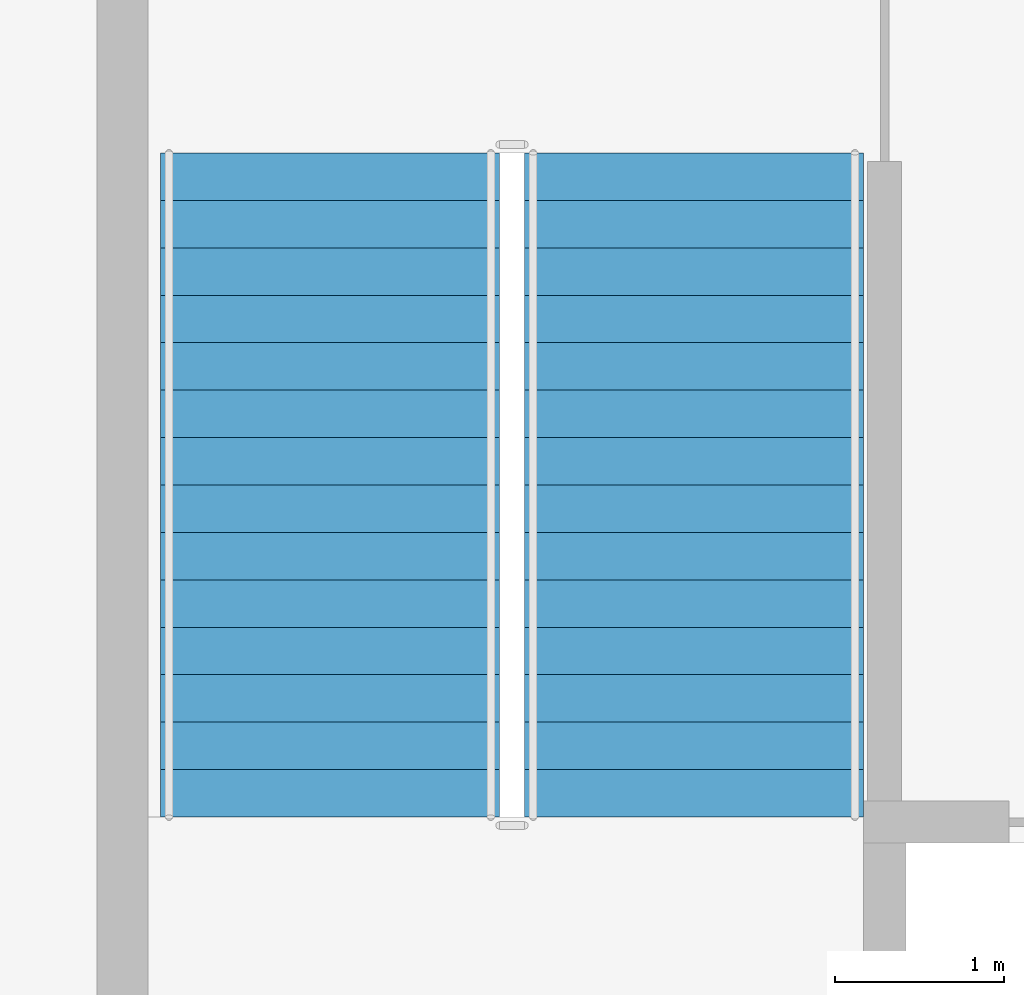
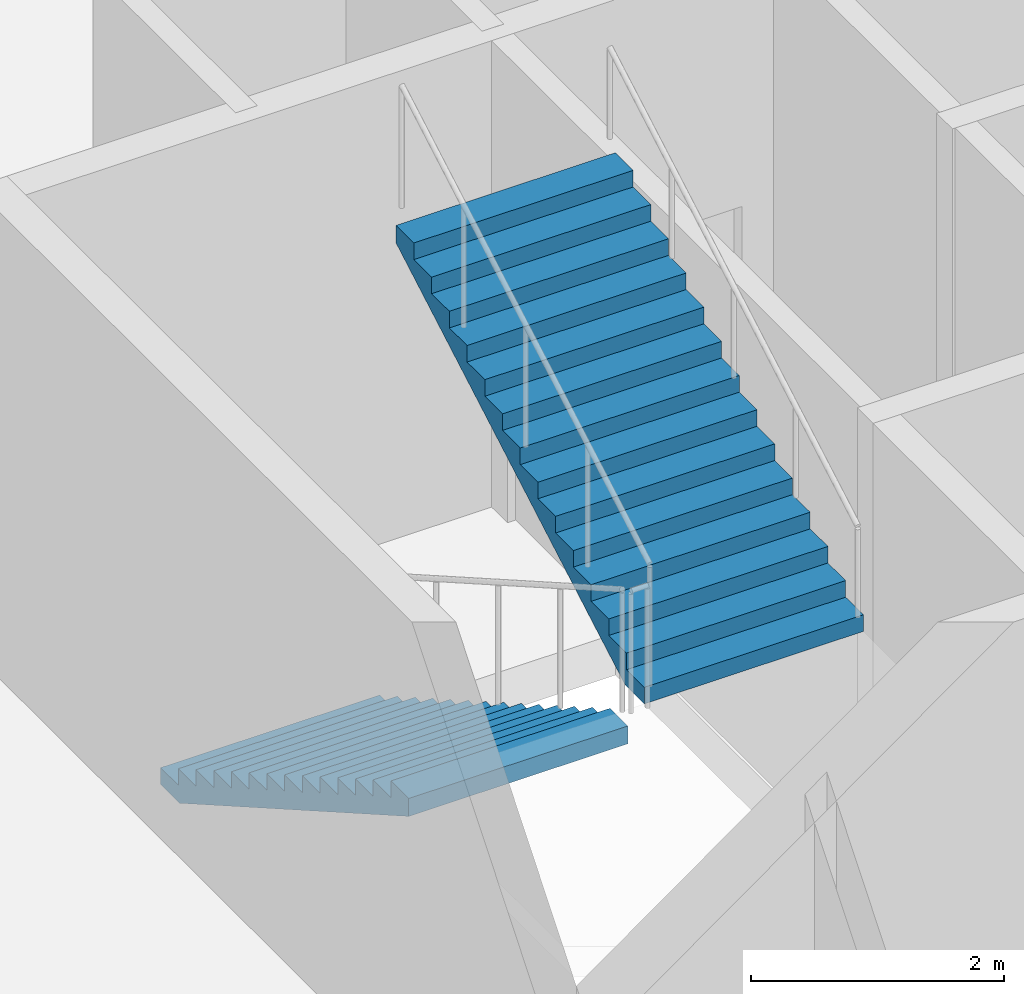
# One storey, part 5 of 10: 2 stair flights, 1 element without a shape of its own.
"""IFC4 building model written with IfcOpenShell, lengths in metres."""

from ifc_helpers import new_model, si_unit, direction, frame, origin, place, context, subcontext, project, spatial, polygons, material, type_object, element, aggregate, save


model = new_model("IFC4")

# Units and contexts
model_context = context("Model", 3, precision=1e-05, world=origin(), true_north=direction((0.0, 1.0)))
body_context = subcontext(model_context, "Body", "Model", "MODEL_VIEW")
ifc_project = project(units=[si_unit("LENGTHUNIT", "METRE"), si_unit("AREAUNIT", "SQUARE_METRE"), si_unit("VOLUMEUNIT", "CUBIC_METRE"), si_unit("PLANEANGLEUNIT", "RADIAN"), si_unit("MASSUNIT", "GRAM", prefix="KILO")], contexts=[model_context])

# Site, building, storey
site_placement = place(None, origin())
site = spatial("IfcSite", under=ifc_project, at=site_placement, CompositionType="ELEMENT")
building_placement = place(site_placement, origin())
building = spatial("IfcBuilding", under=site, at=building_placement, Name="Caravel Reach Hotel and Residences", CompositionType="ELEMENT")
storey_placement = place(building_placement, frame((0.0, 0.0, 187.60009765625)))
storey = spatial("IfcBuildingStorey", under=building, at=storey_placement, Name="L47", CompositionType="ELEMENT", Elevation=187.60009765625)

# Stair, stair flights
ifc_material_1 = material(Name="Concrete C40", Category="concrete")
stair_type = type_object("IfcStairType", Name="Core stair", PredefinedType="HALF_TURN_STAIR", material=ifc_material_1)
stair_placement = place(storey_placement, origin())
stair = element("IfcStair", 1, at=stair_placement, inside=storey, type_object=stair_type, Name="L47 Exit stair A", PredefinedType="HALF_TURN_STAIR")
ifc_material_2 = material(Name="Concrete C40", Category="concrete")
stair_flight_type = type_object("IfcStairFlightType", Name="Core stair flight", PredefinedType="STRAIGHT", material=ifc_material_2)
stair_flight_1_placement = place(storey_placement, frame((19.22509765625, 29.35009765625, 0.0), z_axis=(0.0, 0.0, 1.0), x_axis=(0.0, -1.0, 0.0)))
stair_flight_1 = element("IfcStairFlight", 2, at=stair_flight_1_placement, type_object=stair_flight_type, Name="ST-A flight 1", NumberOfRisers=15, NumberOfTreads=14, PredefinedType="STRAIGHT", RiserHeight=0.16, TreadLength=0.28, context=body_context, shape_type="Tessellation", body=[
    polygons([(0.30213783309663755, 1.0, 0.0), (0.30213783309663755, 0.6666666666666667, 0.0), (0.30213783309663755, 0.33333333333333337, 0.0), (0.30213783309663755, 0.0, 0.0), (0.30213783309663755, -0.33333333333333326, 0.0), (0.30213783309663755, -0.6666666666666667, 0.0), (0.30213783309663755, -1.0, 0.0), (3.9210000000000003, 1.0, 2.0673498096590643), (3.9210000000000003, 0.6666666666666667, 2.0673498096590643), (3.9210000000000003, 0.33333333333333337, 2.0673498096590643), (3.9210000000000003, 0.0, 2.0673498096590643), (3.9210000000000003, -0.33333333333333326, 2.0673498096590643), (3.9210000000000003, -0.6666666666666667, 2.0673498096590643), (3.9210000000000003, -1.0, 2.0673498096590643), (3.9210000000000003, 1.0, 2.24), (3.9210000000000003, 0.6666666666666667, 2.24), (3.9210000000000003, 0.33333333333333337, 2.24), (3.9210000000000003, 0.0, 2.24), (3.9210000000000003, -0.33333333333333326, 2.24), (3.9210000000000003, -0.6666666666666667, 2.24), (3.9210000000000003, -1.0, 2.24), (3.6400000000000006, 1.0, 2.24), (3.6400000000000006, 0.6666666666666667, 2.24), (3.6400000000000006, 0.33333333333333337, 2.24), (3.6400000000000006, 0.0, 2.24), (3.6400000000000006, -0.33333333333333326, 2.24), (3.6400000000000006, -0.6666666666666667, 2.24), (3.6400000000000006, -1.0, 2.24), (3.6400000000000006, 1.0, 2.08), (3.6400000000000006, 0.6666666666666667, 2.08), (3.6400000000000006, 0.33333333333333337, 2.08), (3.6400000000000006, 0.0, 2.08), (3.6400000000000006, -0.33333333333333326, 2.08), (3.6400000000000006, -0.6666666666666667, 2.08), (3.6400000000000006, -1.0, 2.08), (3.3600000000000003, 1.0, 2.08), (3.3600000000000003, 0.6666666666666667, 2.08), (3.3600000000000003, 0.33333333333333337, 2.08), (3.3600000000000003, 0.0, 2.08), (3.3600000000000003, -0.33333333333333326, 2.08), (3.3600000000000003, -0.6666666666666667, 2.08), (3.3600000000000003, -1.0, 2.08), (3.3600000000000003, 1.0, 1.92), (3.3600000000000003, 0.6666666666666667, 1.92), (3.3600000000000003, 0.33333333333333337, 1.92), (3.3600000000000003, 0.0, 1.92), (3.3600000000000003, -0.33333333333333326, 1.92), (3.3600000000000003, -0.6666666666666667, 1.92), (3.3600000000000003, -1.0, 1.92), (3.08, 1.0, 1.92), (3.08, 0.6666666666666667, 1.92), (3.08, 0.33333333333333337, 1.92), (3.08, 0.0, 1.92), (3.08, -0.33333333333333326, 1.92), (3.08, -0.6666666666666667, 1.92), (3.08, -1.0, 1.92), (3.08, 1.0, 1.76), (3.08, 0.6666666666666667, 1.76), (3.08, 0.33333333333333337, 1.76), (3.08, 0.0, 1.76), (3.08, -0.33333333333333326, 1.76), (3.08, -0.6666666666666667, 1.76), (3.08, -1.0, 1.76), (2.8000000000000003, 1.0, 1.76), (2.8000000000000003, 0.6666666666666667, 1.76), (2.8000000000000003, 0.33333333333333337, 1.76), (2.8000000000000003, 0.0, 1.76), (2.8000000000000003, -0.33333333333333326, 1.76), (2.8000000000000003, -0.6666666666666667, 1.76), (2.8000000000000003, -1.0, 1.76), (2.8000000000000003, 1.0, 1.6), (2.8000000000000003, 0.6666666666666667, 1.6), (2.8000000000000003, 0.33333333333333337, 1.6), (2.8000000000000003, 0.0, 1.6), (2.8000000000000003, -0.33333333333333326, 1.6), (2.8000000000000003, -0.6666666666666667, 1.6), (2.8000000000000003, -1.0, 1.6), (2.5200000000000005, 1.0, 1.6), (2.5200000000000005, 0.6666666666666667, 1.6), (2.5200000000000005, 0.33333333333333337, 1.6), (2.5200000000000005, 0.0, 1.6), (2.5200000000000005, -0.33333333333333326, 1.6), (2.5200000000000005, -0.6666666666666667, 1.6), (2.5200000000000005, -1.0, 1.6), (2.5200000000000005, 1.0, 1.44), (2.5200000000000005, 0.6666666666666667, 1.44), (2.5200000000000005, 0.33333333333333337, 1.44), (2.5200000000000005, 0.0, 1.44), (2.5200000000000005, -0.33333333333333326, 1.44), (2.5200000000000005, -0.6666666666666667, 1.44), (2.5200000000000005, -1.0, 1.44), (2.24, 1.0, 1.44), (2.24, 0.6666666666666667, 1.44), (2.24, 0.33333333333333337, 1.44), (2.24, 0.0, 1.44), (2.24, -0.33333333333333326, 1.44), (2.24, -0.6666666666666667, 1.44), (2.24, -1.0, 1.44), (2.24, 1.0, 1.28), (2.24, 0.6666666666666667, 1.28), (2.24, 0.33333333333333337, 1.28), (2.24, 0.0, 1.28), (2.24, -0.33333333333333326, 1.28), (2.24, -0.6666666666666667, 1.28), (2.24, -1.0, 1.28), (1.9600000000000002, 1.0, 1.28), (1.9600000000000002, 0.6666666666666667, 1.28), (1.9600000000000002, 0.33333333333333337, 1.28), (1.9600000000000002, 0.0, 1.28), (1.9600000000000002, -0.33333333333333326, 1.28), (1.9600000000000002, -0.6666666666666667, 1.28), (1.9600000000000002, -1.0, 1.28), (1.9600000000000002, 1.0, 1.12), (1.9600000000000002, 0.6666666666666667, 1.12), (1.9600000000000002, 0.33333333333333337, 1.12), (1.9600000000000002, 0.0, 1.12), (1.9600000000000002, -0.33333333333333326, 1.12), (1.9600000000000002, -0.6666666666666667, 1.12), (1.9600000000000002, -1.0, 1.12), (1.6800000000000002, 1.0, 1.12), (1.6800000000000002, 0.6666666666666667, 1.12), (1.6800000000000002, 0.33333333333333337, 1.12), (1.6800000000000002, 0.0, 1.12), (1.6800000000000002, -0.33333333333333326, 1.12), (1.6800000000000002, -0.6666666666666667, 1.12), (1.6800000000000002, -1.0, 1.12), (1.6800000000000002, 1.0, 0.96), (1.6800000000000002, 0.6666666666666667, 0.96), (1.6800000000000002, 0.33333333333333337, 0.96), (1.6800000000000002, 0.0, 0.96), (1.6800000000000002, -0.33333333333333326, 0.96), (1.6800000000000002, -0.6666666666666667, 0.96), (1.6800000000000002, -1.0, 0.96), (1.4000000000000001, 1.0, 0.96), (1.4000000000000001, 0.6666666666666667, 0.96), (1.4000000000000001, 0.33333333333333337, 0.96), (1.4000000000000001, 0.0, 0.96), (1.4000000000000001, -0.33333333333333326, 0.96), (1.4000000000000001, -0.6666666666666667, 0.96), (1.4000000000000001, -1.0, 0.96), (1.4000000000000001, 1.0, 0.8), (1.4000000000000001, 0.6666666666666667, 0.8), (1.4000000000000001, 0.33333333333333337, 0.8), (1.4000000000000001, 0.0, 0.8), (1.4000000000000001, -0.33333333333333326, 0.8), (1.4000000000000001, -0.6666666666666667, 0.8), (1.4000000000000001, -1.0, 0.8), (1.12, 1.0, 0.8), (1.12, 0.6666666666666667, 0.8), (1.12, 0.33333333333333337, 0.8), (1.12, 0.0, 0.8), (1.12, -0.33333333333333326, 0.8), (1.12, -0.6666666666666667, 0.8), (1.12, -1.0, 0.8), (1.12, 1.0, 0.64), (1.12, 0.6666666666666667, 0.64), (1.12, 0.33333333333333337, 0.64), (1.12, 0.0, 0.64), (1.12, -0.33333333333333326, 0.64), (1.12, -0.6666666666666667, 0.64), (1.12, -1.0, 0.64), (0.8400000000000001, 1.0, 0.64), (0.8400000000000001, 0.6666666666666667, 0.64), (0.8400000000000001, 0.33333333333333337, 0.64), (0.8400000000000001, 0.0, 0.64), (0.8400000000000001, -0.33333333333333326, 0.64), (0.8400000000000001, -0.6666666666666667, 0.64), (0.8400000000000001, -1.0, 0.64), (0.8400000000000001, 1.0, 0.48), (0.8400000000000001, 0.6666666666666667, 0.48), (0.8400000000000001, 0.33333333333333337, 0.48), (0.8400000000000001, 0.0, 0.48), (0.8400000000000001, -0.33333333333333326, 0.48), (0.8400000000000001, -0.6666666666666667, 0.48), (0.8400000000000001, -1.0, 0.48), (0.56, 1.0, 0.48), (0.56, 0.6666666666666667, 0.48), (0.56, 0.33333333333333337, 0.48), (0.56, 0.0, 0.48), (0.56, -0.33333333333333326, 0.48), (0.56, -0.6666666666666667, 0.48), (0.56, -1.0, 0.48), (0.56, 1.0, 0.32), (0.56, 0.6666666666666667, 0.32), (0.56, 0.33333333333333337, 0.32), (0.56, 0.0, 0.32), (0.56, -0.33333333333333326, 0.32), (0.56, -0.6666666666666667, 0.32), (0.56, -1.0, 0.32), (0.28, 1.0, 0.32), (0.28, 0.6666666666666667, 0.32), (0.28, 0.33333333333333337, 0.32), (0.28, 0.0, 0.32), (0.28, -0.33333333333333326, 0.32), (0.28, -0.6666666666666667, 0.32), (0.28, -1.0, 0.32), (0.28, 1.0, 0.16), (0.28, 0.6666666666666667, 0.16), (0.28, 0.33333333333333337, 0.16), (0.28, 0.0, 0.16), (0.28, -0.33333333333333326, 0.16), (0.28, -0.6666666666666667, 0.16), (0.28, -1.0, 0.16), (-0.001, 1.0, 0.16), (-0.001, 0.6666666666666667, 0.16), (-0.001, 0.33333333333333337, 0.16), (-0.001, 0.0, 0.16), (-0.001, -0.33333333333333326, 0.16), (-0.001, -0.6666666666666667, 0.16), (-0.001, -1.0, 0.16), (-0.001, 1.0, 0.0), (-0.001, 0.6666666666666667, 0.0), (-0.001, 0.33333333333333337, 0.0), (-0.001, 0.0, 0.0), (-0.001, -0.33333333333333326, 0.0), (-0.001, -0.6666666666666667, 0.0), (-0.001, -1.0, 0.0)], [[[211, 204, 197, 190, 183, 176, 169, 162, 155, 148, 141, 134, 127, 120, 113, 106, 99, 92, 85, 78, 71, 64, 57, 50, 43, 36, 29, 22, 15, 8, 1]], [[7, 14, 21, 28, 35, 42, 49, 56, 63, 70, 77, 84, 91, 98, 105, 112, 119, 126, 133, 140, 147, 154, 161, 168, 175, 182, 189, 196, 203, 210, 217]], [[1, 8, 9, 2]], [[2, 9, 10, 3]], [[3, 10, 11, 4]], [[4, 11, 12, 5]], [[5, 12, 13, 6]], [[6, 13, 14, 7]], [[8, 15, 16, 9]], [[9, 16, 17, 10]], [[10, 17, 18, 11]], [[11, 18, 19, 12]], [[12, 19, 20, 13]], [[13, 20, 21, 14]], [[15, 22, 23, 16]], [[16, 23, 24, 17]], [[17, 24, 25, 18]], [[18, 25, 26, 19]], [[19, 26, 27, 20]], [[20, 27, 28, 21]], [[22, 29, 30, 23]], [[23, 30, 31, 24]], [[24, 31, 32, 25]], [[25, 32, 33, 26]], [[26, 33, 34, 27]], [[27, 34, 35, 28]], [[29, 36, 37, 30]], [[30, 37, 38, 31]], [[31, 38, 39, 32]], [[32, 39, 40, 33]], [[33, 40, 41, 34]], [[34, 41, 42, 35]], [[36, 43, 44, 37]], [[37, 44, 45, 38]], [[38, 45, 46, 39]], [[39, 46, 47, 40]], [[40, 47, 48, 41]], [[41, 48, 49, 42]], [[43, 50, 51, 44]], [[44, 51, 52, 45]], [[45, 52, 53, 46]], [[46, 53, 54, 47]], [[47, 54, 55, 48]], [[48, 55, 56, 49]], [[50, 57, 58, 51]], [[51, 58, 59, 52]], [[52, 59, 60, 53]], [[53, 60, 61, 54]], [[54, 61, 62, 55]], [[55, 62, 63, 56]], [[57, 64, 65, 58]], [[58, 65, 66, 59]], [[59, 66, 67, 60]], [[60, 67, 68, 61]], [[61, 68, 69, 62]], [[62, 69, 70, 63]], [[64, 71, 72, 65]], [[65, 72, 73, 66]], [[66, 73, 74, 67]], [[67, 74, 75, 68]], [[68, 75, 76, 69]], [[69, 76, 77, 70]], [[71, 78, 79, 72]], [[72, 79, 80, 73]], [[73, 80, 81, 74]], [[74, 81, 82, 75]], [[75, 82, 83, 76]], [[76, 83, 84, 77]], [[78, 85, 86, 79]], [[79, 86, 87, 80]], [[80, 87, 88, 81]], [[81, 88, 89, 82]], [[82, 89, 90, 83]], [[83, 90, 91, 84]], [[85, 92, 93, 86]], [[86, 93, 94, 87]], [[87, 94, 95, 88]], [[88, 95, 96, 89]], [[89, 96, 97, 90]], [[90, 97, 98, 91]], [[92, 99, 100, 93]], [[93, 100, 101, 94]], [[94, 101, 102, 95]], [[95, 102, 103, 96]], [[96, 103, 104, 97]], [[97, 104, 105, 98]], [[99, 106, 107, 100]], [[100, 107, 108, 101]], [[101, 108, 109, 102]], [[102, 109, 110, 103]], [[103, 110, 111, 104]], [[104, 111, 112, 105]], [[106, 113, 114, 107]], [[107, 114, 115, 108]], [[108, 115, 116, 109]], [[109, 116, 117, 110]], [[110, 117, 118, 111]], [[111, 118, 119, 112]], [[113, 120, 121, 114]], [[114, 121, 122, 115]], [[115, 122, 123, 116]], [[116, 123, 124, 117]], [[117, 124, 125, 118]], [[118, 125, 126, 119]], [[120, 127, 128, 121]], [[121, 128, 129, 122]], [[122, 129, 130, 123]], [[123, 130, 131, 124]], [[124, 131, 132, 125]], [[125, 132, 133, 126]], [[127, 134, 135, 128]], [[128, 135, 136, 129]], [[129, 136, 137, 130]], [[130, 137, 138, 131]], [[131, 138, 139, 132]], [[132, 139, 140, 133]], [[134, 141, 142, 135]], [[135, 142, 143, 136]], [[136, 143, 144, 137]], [[137, 144, 145, 138]], [[138, 145, 146, 139]], [[139, 146, 147, 140]], [[141, 148, 149, 142]], [[142, 149, 150, 143]], [[143, 150, 151, 144]], [[144, 151, 152, 145]], [[145, 152, 153, 146]], [[146, 153, 154, 147]], [[148, 155, 156, 149]], [[149, 156, 157, 150]], [[150, 157, 158, 151]], [[151, 158, 159, 152]], [[152, 159, 160, 153]], [[153, 160, 161, 154]], [[155, 162, 163, 156]], [[156, 163, 164, 157]], [[157, 164, 165, 158]], [[158, 165, 166, 159]], [[159, 166, 167, 160]], [[160, 167, 168, 161]], [[162, 169, 170, 163]], [[163, 170, 171, 164]], [[164, 171, 172, 165]], [[165, 172, 173, 166]], [[166, 173, 174, 167]], [[167, 174, 175, 168]], [[169, 176, 177, 170]], [[170, 177, 178, 171]], [[171, 178, 179, 172]], [[172, 179, 180, 173]], [[173, 180, 181, 174]], [[174, 181, 182, 175]], [[176, 183, 184, 177]], [[177, 184, 185, 178]], [[178, 185, 186, 179]], [[179, 186, 187, 180]], [[180, 187, 188, 181]], [[181, 188, 189, 182]], [[183, 190, 191, 184]], [[184, 191, 192, 185]], [[185, 192, 193, 186]], [[186, 193, 194, 187]], [[187, 194, 195, 188]], [[188, 195, 196, 189]], [[190, 197, 198, 191]], [[191, 198, 199, 192]], [[192, 199, 200, 193]], [[193, 200, 201, 194]], [[194, 201, 202, 195]], [[195, 202, 203, 196]], [[197, 204, 205, 198]], [[198, 205, 206, 199]], [[199, 206, 207, 200]], [[200, 207, 208, 201]], [[201, 208, 209, 202]], [[202, 209, 210, 203]], [[204, 211, 212, 205]], [[205, 212, 213, 206]], [[206, 213, 214, 207]], [[207, 214, 215, 208]], [[208, 215, 216, 209]], [[209, 216, 217, 210]], [[211, 1, 2, 212]], [[212, 2, 3, 213]], [[213, 3, 4, 214]], [[214, 4, 5, 215]], [[215, 5, 6, 216]], [[216, 6, 7, 217]]], closed=True),
])
stair_flight_2_placement = place(storey_placement, frame((21.375, 25.429931640625, 2.39990234375), z_axis=(0.0, 0.0, 1.0), x_axis=(0.0, 1.0, 0.0)))
stair_flight_2 = element("IfcStairFlight", 3, at=stair_flight_2_placement, type_object=stair_flight_type, Name="ST-A flight 2", NumberOfRisers=15, NumberOfTreads=14, PredefinedType="STRAIGHT", RiserHeight=0.16, TreadLength=0.28, context=body_context, shape_type="Tessellation", body=[
    polygons([(0.30213783309663755, 1.0, 0.0), (0.30213783309663755, 0.6666666666666667, 0.0), (0.30213783309663755, 0.33333333333333337, 0.0), (0.30213783309663755, 0.0, 0.0), (0.30213783309663755, -0.33333333333333326, 0.0), (0.30213783309663755, -0.6666666666666667, 0.0), (0.30213783309663755, -1.0, 0.0), (3.9210000000000003, 1.0, 2.0673498096590643), (3.9210000000000003, 0.6666666666666667, 2.0673498096590643), (3.9210000000000003, 0.33333333333333337, 2.0673498096590643), (3.9210000000000003, 0.0, 2.0673498096590643), (3.9210000000000003, -0.33333333333333326, 2.0673498096590643), (3.9210000000000003, -0.6666666666666667, 2.0673498096590643), (3.9210000000000003, -1.0, 2.0673498096590643), (3.9210000000000003, 1.0, 2.24), (3.9210000000000003, 0.6666666666666667, 2.24), (3.9210000000000003, 0.33333333333333337, 2.24), (3.9210000000000003, 0.0, 2.24), (3.9210000000000003, -0.33333333333333326, 2.24), (3.9210000000000003, -0.6666666666666667, 2.24), (3.9210000000000003, -1.0, 2.24), (3.6400000000000006, 1.0, 2.24), (3.6400000000000006, 0.6666666666666667, 2.24), (3.6400000000000006, 0.33333333333333337, 2.24), (3.6400000000000006, 0.0, 2.24), (3.6400000000000006, -0.33333333333333326, 2.24), (3.6400000000000006, -0.6666666666666667, 2.24), (3.6400000000000006, -1.0, 2.24), (3.6400000000000006, 1.0, 2.08), (3.6400000000000006, 0.6666666666666667, 2.08), (3.6400000000000006, 0.33333333333333337, 2.08), (3.6400000000000006, 0.0, 2.08), (3.6400000000000006, -0.33333333333333326, 2.08), (3.6400000000000006, -0.6666666666666667, 2.08), (3.6400000000000006, -1.0, 2.08), (3.3600000000000003, 1.0, 2.08), (3.3600000000000003, 0.6666666666666667, 2.08), (3.3600000000000003, 0.33333333333333337, 2.08), (3.3600000000000003, 0.0, 2.08), (3.3600000000000003, -0.33333333333333326, 2.08), (3.3600000000000003, -0.6666666666666667, 2.08), (3.3600000000000003, -1.0, 2.08), (3.3600000000000003, 1.0, 1.92), (3.3600000000000003, 0.6666666666666667, 1.92), (3.3600000000000003, 0.33333333333333337, 1.92), (3.3600000000000003, 0.0, 1.92), (3.3600000000000003, -0.33333333333333326, 1.92), (3.3600000000000003, -0.6666666666666667, 1.92), (3.3600000000000003, -1.0, 1.92), (3.08, 1.0, 1.92), (3.08, 0.6666666666666667, 1.92), (3.08, 0.33333333333333337, 1.92), (3.08, 0.0, 1.92), (3.08, -0.33333333333333326, 1.92), (3.08, -0.6666666666666667, 1.92), (3.08, -1.0, 1.92), (3.08, 1.0, 1.76), (3.08, 0.6666666666666667, 1.76), (3.08, 0.33333333333333337, 1.76), (3.08, 0.0, 1.76), (3.08, -0.33333333333333326, 1.76), (3.08, -0.6666666666666667, 1.76), (3.08, -1.0, 1.76), (2.8000000000000003, 1.0, 1.76), (2.8000000000000003, 0.6666666666666667, 1.76), (2.8000000000000003, 0.33333333333333337, 1.76), (2.8000000000000003, 0.0, 1.76), (2.8000000000000003, -0.33333333333333326, 1.76), (2.8000000000000003, -0.6666666666666667, 1.76), (2.8000000000000003, -1.0, 1.76), (2.8000000000000003, 1.0, 1.6), (2.8000000000000003, 0.6666666666666667, 1.6), (2.8000000000000003, 0.33333333333333337, 1.6), (2.8000000000000003, 0.0, 1.6), (2.8000000000000003, -0.33333333333333326, 1.6), (2.8000000000000003, -0.6666666666666667, 1.6), (2.8000000000000003, -1.0, 1.6), (2.5200000000000005, 1.0, 1.6), (2.5200000000000005, 0.6666666666666667, 1.6), (2.5200000000000005, 0.33333333333333337, 1.6), (2.5200000000000005, 0.0, 1.6), (2.5200000000000005, -0.33333333333333326, 1.6), (2.5200000000000005, -0.6666666666666667, 1.6), (2.5200000000000005, -1.0, 1.6), (2.5200000000000005, 1.0, 1.44), (2.5200000000000005, 0.6666666666666667, 1.44), (2.5200000000000005, 0.33333333333333337, 1.44), (2.5200000000000005, 0.0, 1.44), (2.5200000000000005, -0.33333333333333326, 1.44), (2.5200000000000005, -0.6666666666666667, 1.44), (2.5200000000000005, -1.0, 1.44), (2.24, 1.0, 1.44), (2.24, 0.6666666666666667, 1.44), (2.24, 0.33333333333333337, 1.44), (2.24, 0.0, 1.44), (2.24, -0.33333333333333326, 1.44), (2.24, -0.6666666666666667, 1.44), (2.24, -1.0, 1.44), (2.24, 1.0, 1.28), (2.24, 0.6666666666666667, 1.28), (2.24, 0.33333333333333337, 1.28), (2.24, 0.0, 1.28), (2.24, -0.33333333333333326, 1.28), (2.24, -0.6666666666666667, 1.28), (2.24, -1.0, 1.28), (1.9600000000000002, 1.0, 1.28), (1.9600000000000002, 0.6666666666666667, 1.28), (1.9600000000000002, 0.33333333333333337, 1.28), (1.9600000000000002, 0.0, 1.28), (1.9600000000000002, -0.33333333333333326, 1.28), (1.9600000000000002, -0.6666666666666667, 1.28), (1.9600000000000002, -1.0, 1.28), (1.9600000000000002, 1.0, 1.12), (1.9600000000000002, 0.6666666666666667, 1.12), (1.9600000000000002, 0.33333333333333337, 1.12), (1.9600000000000002, 0.0, 1.12), (1.9600000000000002, -0.33333333333333326, 1.12), (1.9600000000000002, -0.6666666666666667, 1.12), (1.9600000000000002, -1.0, 1.12), (1.6800000000000002, 1.0, 1.12), (1.6800000000000002, 0.6666666666666667, 1.12), (1.6800000000000002, 0.33333333333333337, 1.12), (1.6800000000000002, 0.0, 1.12), (1.6800000000000002, -0.33333333333333326, 1.12), (1.6800000000000002, -0.6666666666666667, 1.12), (1.6800000000000002, -1.0, 1.12), (1.6800000000000002, 1.0, 0.96), (1.6800000000000002, 0.6666666666666667, 0.96), (1.6800000000000002, 0.33333333333333337, 0.96), (1.6800000000000002, 0.0, 0.96), (1.6800000000000002, -0.33333333333333326, 0.96), (1.6800000000000002, -0.6666666666666667, 0.96), (1.6800000000000002, -1.0, 0.96), (1.4000000000000001, 1.0, 0.96), (1.4000000000000001, 0.6666666666666667, 0.96), (1.4000000000000001, 0.33333333333333337, 0.96), (1.4000000000000001, 0.0, 0.96), (1.4000000000000001, -0.33333333333333326, 0.96), (1.4000000000000001, -0.6666666666666667, 0.96), (1.4000000000000001, -1.0, 0.96), (1.4000000000000001, 1.0, 0.8), (1.4000000000000001, 0.6666666666666667, 0.8), (1.4000000000000001, 0.33333333333333337, 0.8), (1.4000000000000001, 0.0, 0.8), (1.4000000000000001, -0.33333333333333326, 0.8), (1.4000000000000001, -0.6666666666666667, 0.8), (1.4000000000000001, -1.0, 0.8), (1.12, 1.0, 0.8), (1.12, 0.6666666666666667, 0.8), (1.12, 0.33333333333333337, 0.8), (1.12, 0.0, 0.8), (1.12, -0.33333333333333326, 0.8), (1.12, -0.6666666666666667, 0.8), (1.12, -1.0, 0.8), (1.12, 1.0, 0.64), (1.12, 0.6666666666666667, 0.64), (1.12, 0.33333333333333337, 0.64), (1.12, 0.0, 0.64), (1.12, -0.33333333333333326, 0.64), (1.12, -0.6666666666666667, 0.64), (1.12, -1.0, 0.64), (0.8400000000000001, 1.0, 0.64), (0.8400000000000001, 0.6666666666666667, 0.64), (0.8400000000000001, 0.33333333333333337, 0.64), (0.8400000000000001, 0.0, 0.64), (0.8400000000000001, -0.33333333333333326, 0.64), (0.8400000000000001, -0.6666666666666667, 0.64), (0.8400000000000001, -1.0, 0.64), (0.8400000000000001, 1.0, 0.48), (0.8400000000000001, 0.6666666666666667, 0.48), (0.8400000000000001, 0.33333333333333337, 0.48), (0.8400000000000001, 0.0, 0.48), (0.8400000000000001, -0.33333333333333326, 0.48), (0.8400000000000001, -0.6666666666666667, 0.48), (0.8400000000000001, -1.0, 0.48), (0.56, 1.0, 0.48), (0.56, 0.6666666666666667, 0.48), (0.56, 0.33333333333333337, 0.48), (0.56, 0.0, 0.48), (0.56, -0.33333333333333326, 0.48), (0.56, -0.6666666666666667, 0.48), (0.56, -1.0, 0.48), (0.56, 1.0, 0.32), (0.56, 0.6666666666666667, 0.32), (0.56, 0.33333333333333337, 0.32), (0.56, 0.0, 0.32), (0.56, -0.33333333333333326, 0.32), (0.56, -0.6666666666666667, 0.32), (0.56, -1.0, 0.32), (0.28, 1.0, 0.32), (0.28, 0.6666666666666667, 0.32), (0.28, 0.33333333333333337, 0.32), (0.28, 0.0, 0.32), (0.28, -0.33333333333333326, 0.32), (0.28, -0.6666666666666667, 0.32), (0.28, -1.0, 0.32), (0.28, 1.0, 0.16), (0.28, 0.6666666666666667, 0.16), (0.28, 0.33333333333333337, 0.16), (0.28, 0.0, 0.16), (0.28, -0.33333333333333326, 0.16), (0.28, -0.6666666666666667, 0.16), (0.28, -1.0, 0.16), (-0.001, 1.0, 0.16), (-0.001, 0.6666666666666667, 0.16), (-0.001, 0.33333333333333337, 0.16), (-0.001, 0.0, 0.16), (-0.001, -0.33333333333333326, 0.16), (-0.001, -0.6666666666666667, 0.16), (-0.001, -1.0, 0.16), (-0.001, 1.0, 0.0), (-0.001, 0.6666666666666667, 0.0), (-0.001, 0.33333333333333337, 0.0), (-0.001, 0.0, 0.0), (-0.001, -0.33333333333333326, 0.0), (-0.001, -0.6666666666666667, 0.0), (-0.001, -1.0, 0.0)], [[[211, 204, 197, 190, 183, 176, 169, 162, 155, 148, 141, 134, 127, 120, 113, 106, 99, 92, 85, 78, 71, 64, 57, 50, 43, 36, 29, 22, 15, 8, 1]], [[7, 14, 21, 28, 35, 42, 49, 56, 63, 70, 77, 84, 91, 98, 105, 112, 119, 126, 133, 140, 147, 154, 161, 168, 175, 182, 189, 196, 203, 210, 217]], [[1, 8, 9, 2]], [[2, 9, 10, 3]], [[3, 10, 11, 4]], [[4, 11, 12, 5]], [[5, 12, 13, 6]], [[6, 13, 14, 7]], [[8, 15, 16, 9]], [[9, 16, 17, 10]], [[10, 17, 18, 11]], [[11, 18, 19, 12]], [[12, 19, 20, 13]], [[13, 20, 21, 14]], [[15, 22, 23, 16]], [[16, 23, 24, 17]], [[17, 24, 25, 18]], [[18, 25, 26, 19]], [[19, 26, 27, 20]], [[20, 27, 28, 21]], [[22, 29, 30, 23]], [[23, 30, 31, 24]], [[24, 31, 32, 25]], [[25, 32, 33, 26]], [[26, 33, 34, 27]], [[27, 34, 35, 28]], [[29, 36, 37, 30]], [[30, 37, 38, 31]], [[31, 38, 39, 32]], [[32, 39, 40, 33]], [[33, 40, 41, 34]], [[34, 41, 42, 35]], [[36, 43, 44, 37]], [[37, 44, 45, 38]], [[38, 45, 46, 39]], [[39, 46, 47, 40]], [[40, 47, 48, 41]], [[41, 48, 49, 42]], [[43, 50, 51, 44]], [[44, 51, 52, 45]], [[45, 52, 53, 46]], [[46, 53, 54, 47]], [[47, 54, 55, 48]], [[48, 55, 56, 49]], [[50, 57, 58, 51]], [[51, 58, 59, 52]], [[52, 59, 60, 53]], [[53, 60, 61, 54]], [[54, 61, 62, 55]], [[55, 62, 63, 56]], [[57, 64, 65, 58]], [[58, 65, 66, 59]], [[59, 66, 67, 60]], [[60, 67, 68, 61]], [[61, 68, 69, 62]], [[62, 69, 70, 63]], [[64, 71, 72, 65]], [[65, 72, 73, 66]], [[66, 73, 74, 67]], [[67, 74, 75, 68]], [[68, 75, 76, 69]], [[69, 76, 77, 70]], [[71, 78, 79, 72]], [[72, 79, 80, 73]], [[73, 80, 81, 74]], [[74, 81, 82, 75]], [[75, 82, 83, 76]], [[76, 83, 84, 77]], [[78, 85, 86, 79]], [[79, 86, 87, 80]], [[80, 87, 88, 81]], [[81, 88, 89, 82]], [[82, 89, 90, 83]], [[83, 90, 91, 84]], [[85, 92, 93, 86]], [[86, 93, 94, 87]], [[87, 94, 95, 88]], [[88, 95, 96, 89]], [[89, 96, 97, 90]], [[90, 97, 98, 91]], [[92, 99, 100, 93]], [[93, 100, 101, 94]], [[94, 101, 102, 95]], [[95, 102, 103, 96]], [[96, 103, 104, 97]], [[97, 104, 105, 98]], [[99, 106, 107, 100]], [[100, 107, 108, 101]], [[101, 108, 109, 102]], [[102, 109, 110, 103]], [[103, 110, 111, 104]], [[104, 111, 112, 105]], [[106, 113, 114, 107]], [[107, 114, 115, 108]], [[108, 115, 116, 109]], [[109, 116, 117, 110]], [[110, 117, 118, 111]], [[111, 118, 119, 112]], [[113, 120, 121, 114]], [[114, 121, 122, 115]], [[115, 122, 123, 116]], [[116, 123, 124, 117]], [[117, 124, 125, 118]], [[118, 125, 126, 119]], [[120, 127, 128, 121]], [[121, 128, 129, 122]], [[122, 129, 130, 123]], [[123, 130, 131, 124]], [[124, 131, 132, 125]], [[125, 132, 133, 126]], [[127, 134, 135, 128]], [[128, 135, 136, 129]], [[129, 136, 137, 130]], [[130, 137, 138, 131]], [[131, 138, 139, 132]], [[132, 139, 140, 133]], [[134, 141, 142, 135]], [[135, 142, 143, 136]], [[136, 143, 144, 137]], [[137, 144, 145, 138]], [[138, 145, 146, 139]], [[139, 146, 147, 140]], [[141, 148, 149, 142]], [[142, 149, 150, 143]], [[143, 150, 151, 144]], [[144, 151, 152, 145]], [[145, 152, 153, 146]], [[146, 153, 154, 147]], [[148, 155, 156, 149]], [[149, 156, 157, 150]], [[150, 157, 158, 151]], [[151, 158, 159, 152]], [[152, 159, 160, 153]], [[153, 160, 161, 154]], [[155, 162, 163, 156]], [[156, 163, 164, 157]], [[157, 164, 165, 158]], [[158, 165, 166, 159]], [[159, 166, 167, 160]], [[160, 167, 168, 161]], [[162, 169, 170, 163]], [[163, 170, 171, 164]], [[164, 171, 172, 165]], [[165, 172, 173, 166]], [[166, 173, 174, 167]], [[167, 174, 175, 168]], [[169, 176, 177, 170]], [[170, 177, 178, 171]], [[171, 178, 179, 172]], [[172, 179, 180, 173]], [[173, 180, 181, 174]], [[174, 181, 182, 175]], [[176, 183, 184, 177]], [[177, 184, 185, 178]], [[178, 185, 186, 179]], [[179, 186, 187, 180]], [[180, 187, 188, 181]], [[181, 188, 189, 182]], [[183, 190, 191, 184]], [[184, 191, 192, 185]], [[185, 192, 193, 186]], [[186, 193, 194, 187]], [[187, 194, 195, 188]], [[188, 195, 196, 189]], [[190, 197, 198, 191]], [[191, 198, 199, 192]], [[192, 199, 200, 193]], [[193, 200, 201, 194]], [[194, 201, 202, 195]], [[195, 202, 203, 196]], [[197, 204, 205, 198]], [[198, 205, 206, 199]], [[199, 206, 207, 200]], [[200, 207, 208, 201]], [[201, 208, 209, 202]], [[202, 209, 210, 203]], [[204, 211, 212, 205]], [[205, 212, 213, 206]], [[206, 213, 214, 207]], [[207, 214, 215, 208]], [[208, 215, 216, 209]], [[209, 216, 217, 210]], [[211, 1, 2, 212]], [[212, 2, 3, 213]], [[213, 3, 4, 214]], [[214, 4, 5, 215]], [[215, 5, 6, 216]], [[216, 6, 7, 217]]], closed=True),
])
aggregate(stair, [stair_flight_1, stair_flight_2])

save(model, "model.ifc")
